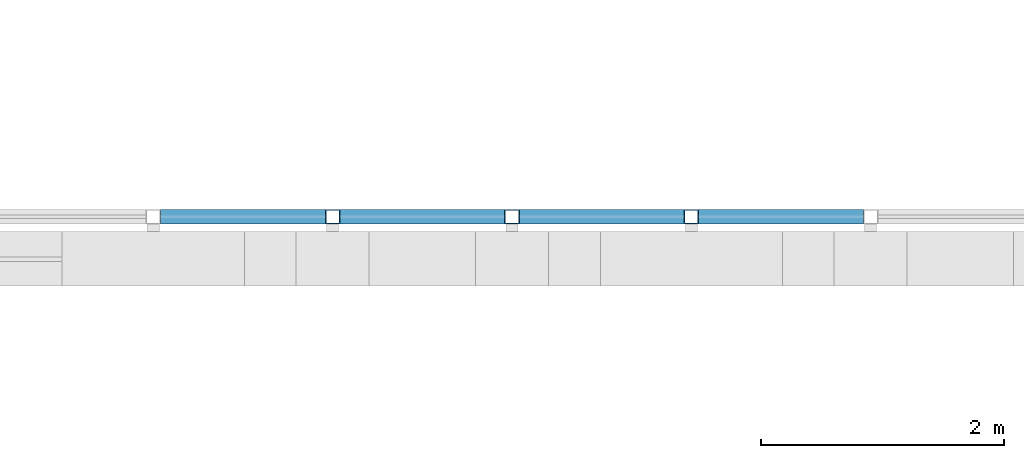
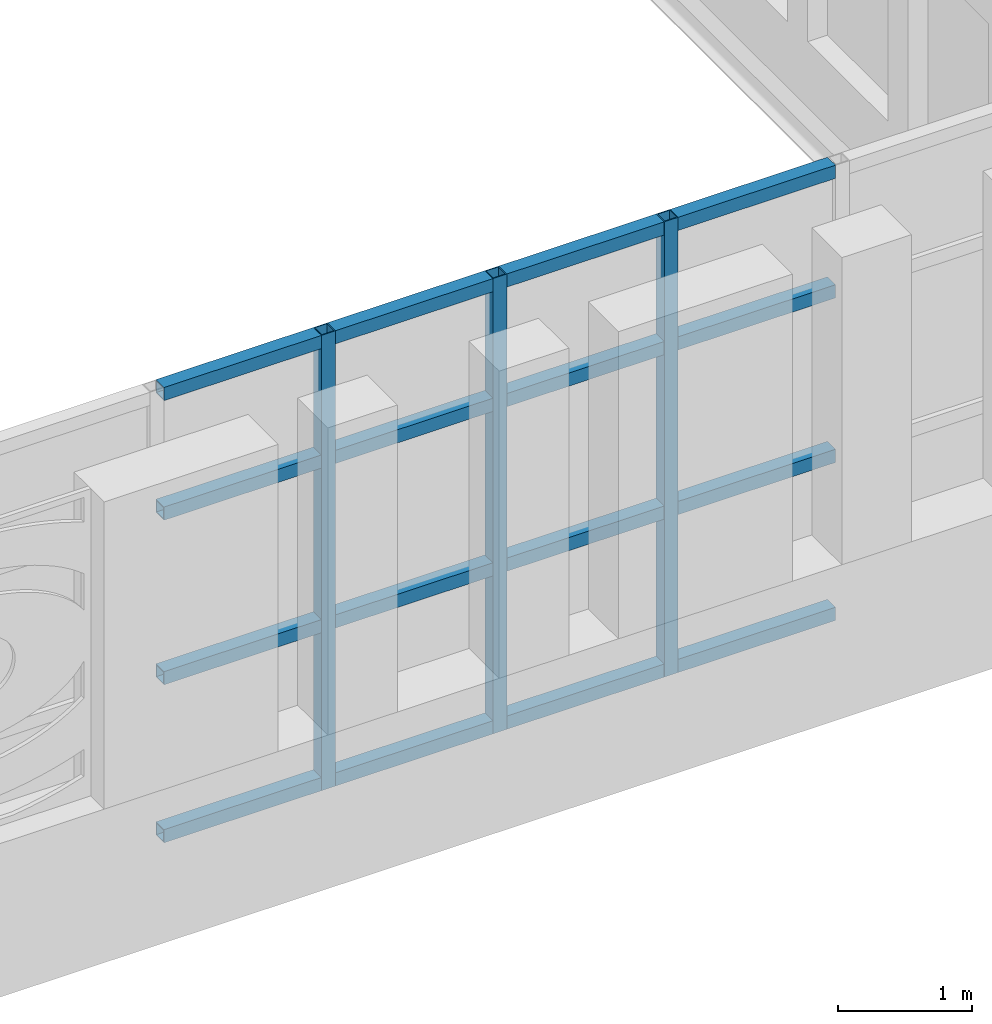
# One storey, part 23 of 154: 19 members, 1 element without a shape of its own.
"""IFC4 building model written with IfcOpenShell, lengths in metres."""

from ifc_helpers import new_model, si_unit, direction, frame, origin, origin_2d, place, context, subcontext, project, spatial, hollow_rectangle, extrude, material, material_profile, profile_set, type_object, element, aggregate, save


model = new_model("IFC4")

# Units and contexts
model_context = context("Model", 3, precision=1e-05, world=origin(), true_north=direction((0.0, 1.0)))
body_context = subcontext(model_context, "Body", "Model", "MODEL_VIEW")
ifc_project = project(units=[si_unit("LENGTHUNIT", "METRE"), si_unit("AREAUNIT", "SQUARE_METRE"), si_unit("VOLUMEUNIT", "CUBIC_METRE"), si_unit("PLANEANGLEUNIT", "RADIAN"), si_unit("MASSUNIT", "GRAM", prefix="KILO")], contexts=[model_context])

# Site, building, storey
site_placement = place(None, origin())
site = spatial("IfcSite", under=ifc_project, at=site_placement, CompositionType="ELEMENT")
building_placement = place(site_placement, origin())
building = spatial("IfcBuilding", under=site, at=building_placement, Name="Golden Quay Civic Hall", CompositionType="ELEMENT")
storey_placement = place(building_placement, frame((0.0, 0.0, 14.39990234375)))
storey = spatial("IfcBuildingStorey", under=building, at=storey_placement, Name="L03", CompositionType="ELEMENT", Elevation=14.39990234375)

# Curtain wall, members
ifc_material_1 = material(Name="Glass and aluminium", Category="aluminium")
curtain_wall_type = type_object("IfcCurtainWallType", Name="Glazed curtain wall 1500 module", PredefinedType="NOTDEFINED", material=ifc_material_1)
curtain_wall_placement = place(storey_placement, origin())
curtain_wall = element("IfcCurtainWall", 1, at=curtain_wall_placement, inside=storey, type_object=curtain_wall_type, Name="CW1 curtain wall", PredefinedType="NOTDEFINED")
ifc_material_2 = material(Name="Steel S355", Category="steel")
ifc_material_profile_1 = material_profile(ifc_material_2, hollow_rectangle(XDim=0.1201171875, YDim=0.1201171875, WallThickness=0.008056640625, at=origin_2d()), Name="SHS 120x120x8")
ifc_profile_set_1 = profile_set([ifc_material_profile_1], Name="Steel S355")
member_type_1 = type_object("IfcMemberType", Name="Steel mullion SHS 120x120x8", PredefinedType="MULLION", material=ifc_profile_set_1)
member_1_placement = place(storey_placement, frame((91.4111328125, 0.27001953125, -0.199951171875), z_axis=(0.0, 0.0, 1.0), x_axis=(0.0, 1.0, 0.0)))
member_1 = element("IfcMember", 2, at=member_1_placement, type_object=member_type_1, Name="CW1 mullion 14", PredefinedType="MULLION", context=body_context, shape_type="SweptSolid", body=[
    extrude(hollow_rectangle(XDim=0.1201171875, YDim=0.1201171875, WallThickness=0.008056640625, at=origin_2d()), origin(), (0.0, 0.0, 1.0), 4.150146484375),
])
member_2_placement = place(storey_placement, frame((92.888916015625, 0.27001953125, -0.199951171875), z_axis=(0.0, 0.0, 1.0), x_axis=(0.0, 1.0, 0.0)))
member_2 = element("IfcMember", 3, at=member_2_placement, type_object=member_type_1, Name="CW1 mullion 15", PredefinedType="MULLION", context=body_context, shape_type="SweptSolid", body=[
    extrude(hollow_rectangle(XDim=0.1201171875, YDim=0.1201171875, WallThickness=0.008056640625, at=origin_2d()), origin(), (0.0, 0.0, 1.0), 4.150146484375),
])
member_3_placement = place(storey_placement, frame((94.36669921875, 0.27001953125, -0.199951171875), z_axis=(0.0, 0.0, 1.0), x_axis=(0.0, 1.0, 0.0)))
member_3 = element("IfcMember", 4, at=member_3_placement, type_object=member_type_1, Name="CW1 mullion 16", PredefinedType="MULLION", context=body_context, shape_type="SweptSolid", body=[
    extrude(hollow_rectangle(XDim=0.1201171875, YDim=0.1201171875, WallThickness=0.008056640625, at=origin_2d()), origin(), (0.0, 0.0, 1.0), 4.150146484375),
])
ifc_material_3 = material(Name="Steel S355", Category="steel")
ifc_material_profile_2 = material_profile(ifc_material_3, hollow_rectangle(XDim=0.1201171875, YDim=0.1201171875, WallThickness=0.008056640625, at=origin_2d()), Name="SHS 120x120x8")
ifc_profile_set_2 = profile_set([ifc_material_profile_2], Name="Steel S355")
member_type_2 = type_object("IfcMemberType", Name="Steel transom SHS 120x120x8", PredefinedType="USERDEFINED", material=ifc_profile_set_2)
member_4_placement = place(storey_placement, frame((89.993408203125, 0.27001953125, -0.139892578125), z_axis=(1.0, 0.0, 0.0), x_axis=(0.0, 1.0, 0.0)))
member_4 = element("IfcMember", 5, at=member_4_placement, type_object=member_type_2, Name="CW1 transom 13.1", ObjectType="TRANSOM", PredefinedType="USERDEFINED", context=body_context, shape_type="SweptSolid", body=[
    extrude(hollow_rectangle(XDim=0.1201171875, YDim=0.1201171875, WallThickness=0.008056640625, at=origin_2d()), origin(), (0.0, 0.0, 1.0), 1.357666015625),
])
member_5_placement = place(storey_placement, frame((89.993408203125, 0.27001953125, 1.300048828125), z_axis=(1.0, 0.0, 0.0), x_axis=(0.0, 1.0, 0.0)))
member_5 = element("IfcMember", 6, at=member_5_placement, type_object=member_type_2, Name="CW1 transom 13.2", ObjectType="TRANSOM", PredefinedType="USERDEFINED", context=body_context, shape_type="SweptSolid", body=[
    extrude(hollow_rectangle(XDim=0.1201171875, YDim=0.1201171875, WallThickness=0.008056640625, at=origin_2d()), origin(), (0.0, 0.0, 1.0), 1.357666015625),
])
member_6_placement = place(storey_placement, frame((89.993408203125, 0.27001953125, 2.800048828125), z_axis=(1.0, 0.0, 0.0), x_axis=(0.0, 1.0, 0.0)))
member_6 = element("IfcMember", 7, at=member_6_placement, type_object=member_type_2, Name="CW1 transom 13.3", ObjectType="TRANSOM", PredefinedType="USERDEFINED", context=body_context, shape_type="SweptSolid", body=[
    extrude(hollow_rectangle(XDim=0.1201171875, YDim=0.1201171875, WallThickness=0.008056640625, at=origin_2d()), origin(), (0.0, 0.0, 1.0), 1.357666015625),
])
member_7_placement = place(storey_placement, frame((89.993408203125, 0.27001953125, 3.89013671875), z_axis=(1.0, 0.0, 0.0), x_axis=(0.0, 1.0, 0.0)))
member_7 = element("IfcMember", 8, at=member_7_placement, type_object=member_type_2, Name="CW1 transom 13.4", ObjectType="TRANSOM", PredefinedType="USERDEFINED", context=body_context, shape_type="SweptSolid", body=[
    extrude(hollow_rectangle(XDim=0.1201171875, YDim=0.1201171875, WallThickness=0.008056640625, at=origin_2d()), origin(), (0.0, 0.0, 1.0), 1.357666015625),
])
member_8_placement = place(storey_placement, frame((91.47119140625, 0.27001953125, -0.139892578125), z_axis=(1.0, 0.0, 0.0), x_axis=(0.0, 1.0, 0.0)))
member_8 = element("IfcMember", 9, at=member_8_placement, type_object=member_type_2, Name="CW1 transom 14.1", ObjectType="TRANSOM", PredefinedType="USERDEFINED", context=body_context, shape_type="SweptSolid", body=[
    extrude(hollow_rectangle(XDim=0.1201171875, YDim=0.1201171875, WallThickness=0.008056640625, at=origin_2d()), origin(), (0.0, 0.0, 1.0), 1.357666015625),
])
member_9_placement = place(storey_placement, frame((91.47119140625, 0.27001953125, 1.300048828125), z_axis=(1.0, 0.0, 0.0), x_axis=(0.0, 1.0, 0.0)))
member_9 = element("IfcMember", 10, at=member_9_placement, type_object=member_type_2, Name="CW1 transom 14.2", ObjectType="TRANSOM", PredefinedType="USERDEFINED", context=body_context, shape_type="SweptSolid", body=[
    extrude(hollow_rectangle(XDim=0.1201171875, YDim=0.1201171875, WallThickness=0.008056640625, at=origin_2d()), origin(), (0.0, 0.0, 1.0), 1.357666015625),
])
member_10_placement = place(storey_placement, frame((91.47119140625, 0.27001953125, 2.800048828125), z_axis=(1.0, 0.0, 0.0), x_axis=(0.0, 1.0, 0.0)))
member_10 = element("IfcMember", 11, at=member_10_placement, type_object=member_type_2, Name="CW1 transom 14.3", ObjectType="TRANSOM", PredefinedType="USERDEFINED", context=body_context, shape_type="SweptSolid", body=[
    extrude(hollow_rectangle(XDim=0.1201171875, YDim=0.1201171875, WallThickness=0.008056640625, at=origin_2d()), origin(), (0.0, 0.0, 1.0), 1.357666015625),
])
member_11_placement = place(storey_placement, frame((91.47119140625, 0.27001953125, 3.89013671875), z_axis=(1.0, 0.0, 0.0), x_axis=(0.0, 1.0, 0.0)))
member_11 = element("IfcMember", 12, at=member_11_placement, type_object=member_type_2, Name="CW1 transom 14.4", ObjectType="TRANSOM", PredefinedType="USERDEFINED", context=body_context, shape_type="SweptSolid", body=[
    extrude(hollow_rectangle(XDim=0.1201171875, YDim=0.1201171875, WallThickness=0.008056640625, at=origin_2d()), origin(), (0.0, 0.0, 1.0), 1.357666015625),
])
member_12_placement = place(storey_placement, frame((92.948974609375, 0.27001953125, -0.139892578125), z_axis=(1.0, 0.0, 0.0), x_axis=(0.0, 1.0, 0.0)))
member_12 = element("IfcMember", 13, at=member_12_placement, type_object=member_type_2, Name="CW1 transom 15.1", ObjectType="TRANSOM", PredefinedType="USERDEFINED", context=body_context, shape_type="SweptSolid", body=[
    extrude(hollow_rectangle(XDim=0.1201171875, YDim=0.1201171875, WallThickness=0.008056640625, at=origin_2d()), origin(), (0.0, 0.0, 1.0), 1.357666015625),
])
member_13_placement = place(storey_placement, frame((92.948974609375, 0.27001953125, 1.300048828125), z_axis=(1.0, 0.0, 0.0), x_axis=(0.0, 1.0, 0.0)))
member_13 = element("IfcMember", 14, at=member_13_placement, type_object=member_type_2, Name="CW1 transom 15.2", ObjectType="TRANSOM", PredefinedType="USERDEFINED", context=body_context, shape_type="SweptSolid", body=[
    extrude(hollow_rectangle(XDim=0.1201171875, YDim=0.1201171875, WallThickness=0.008056640625, at=origin_2d()), origin(), (0.0, 0.0, 1.0), 1.357666015625),
])
member_14_placement = place(storey_placement, frame((92.948974609375, 0.27001953125, 2.800048828125), z_axis=(1.0, 0.0, 0.0), x_axis=(0.0, 1.0, 0.0)))
member_14 = element("IfcMember", 15, at=member_14_placement, type_object=member_type_2, Name="CW1 transom 15.3", ObjectType="TRANSOM", PredefinedType="USERDEFINED", context=body_context, shape_type="SweptSolid", body=[
    extrude(hollow_rectangle(XDim=0.1201171875, YDim=0.1201171875, WallThickness=0.008056640625, at=origin_2d()), origin(), (0.0, 0.0, 1.0), 1.357666015625),
])
member_15_placement = place(storey_placement, frame((92.948974609375, 0.27001953125, 3.89013671875), z_axis=(1.0, 0.0, 0.0), x_axis=(0.0, 1.0, 0.0)))
member_15 = element("IfcMember", 16, at=member_15_placement, type_object=member_type_2, Name="CW1 transom 15.4", ObjectType="TRANSOM", PredefinedType="USERDEFINED", context=body_context, shape_type="SweptSolid", body=[
    extrude(hollow_rectangle(XDim=0.1201171875, YDim=0.1201171875, WallThickness=0.008056640625, at=origin_2d()), origin(), (0.0, 0.0, 1.0), 1.357666015625),
])
member_16_placement = place(storey_placement, frame((94.4267578125, 0.27001953125, -0.139892578125), z_axis=(1.0, 0.0, 0.0), x_axis=(0.0, 1.0, 0.0)))
member_16 = element("IfcMember", 17, at=member_16_placement, type_object=member_type_2, Name="CW1 transom 16.1", ObjectType="TRANSOM", PredefinedType="USERDEFINED", context=body_context, shape_type="SweptSolid", body=[
    extrude(hollow_rectangle(XDim=0.1201171875, YDim=0.1201171875, WallThickness=0.008056640625, at=origin_2d()), origin(), (0.0, 0.0, 1.0), 1.357666015625),
])
member_17_placement = place(storey_placement, frame((94.4267578125, 0.27001953125, 1.300048828125), z_axis=(1.0, 0.0, 0.0), x_axis=(0.0, 1.0, 0.0)))
member_17 = element("IfcMember", 18, at=member_17_placement, type_object=member_type_2, Name="CW1 transom 16.2", ObjectType="TRANSOM", PredefinedType="USERDEFINED", context=body_context, shape_type="SweptSolid", body=[
    extrude(hollow_rectangle(XDim=0.1201171875, YDim=0.1201171875, WallThickness=0.008056640625, at=origin_2d()), origin(), (0.0, 0.0, 1.0), 1.357666015625),
])
member_18_placement = place(storey_placement, frame((94.4267578125, 0.27001953125, 2.800048828125), z_axis=(1.0, 0.0, 0.0), x_axis=(0.0, 1.0, 0.0)))
member_18 = element("IfcMember", 19, at=member_18_placement, type_object=member_type_2, Name="CW1 transom 16.3", ObjectType="TRANSOM", PredefinedType="USERDEFINED", context=body_context, shape_type="SweptSolid", body=[
    extrude(hollow_rectangle(XDim=0.1201171875, YDim=0.1201171875, WallThickness=0.008056640625, at=origin_2d()), origin(), (0.0, 0.0, 1.0), 1.357666015625),
])
member_19_placement = place(storey_placement, frame((94.4267578125, 0.27001953125, 3.89013671875), z_axis=(1.0, 0.0, 0.0), x_axis=(0.0, 1.0, 0.0)))
member_19 = element("IfcMember", 20, at=member_19_placement, type_object=member_type_2, Name="CW1 transom 16.4", ObjectType="TRANSOM", PredefinedType="USERDEFINED", context=body_context, shape_type="SweptSolid", body=[
    extrude(hollow_rectangle(XDim=0.1201171875, YDim=0.1201171875, WallThickness=0.008056640625, at=origin_2d()), origin(), (0.0, 0.0, 1.0), 1.357666015625),
])
aggregate(curtain_wall, [member_1, member_2, member_3, member_4, member_5, member_6, member_7, member_8, member_9, member_10, member_11, member_12, member_13, member_14, member_15, member_16, member_17, member_18, member_19])

save(model, "model.ifc")
